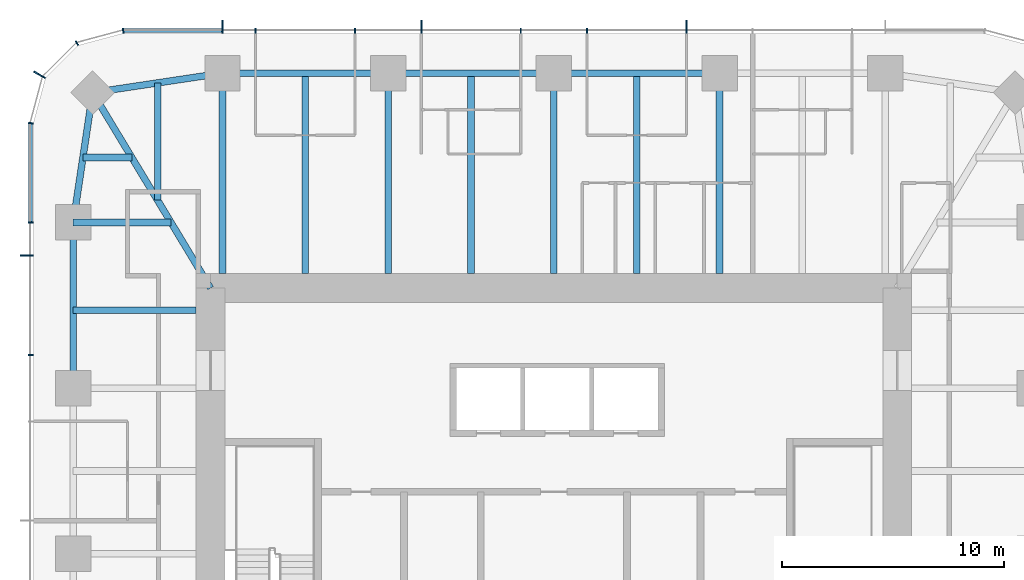
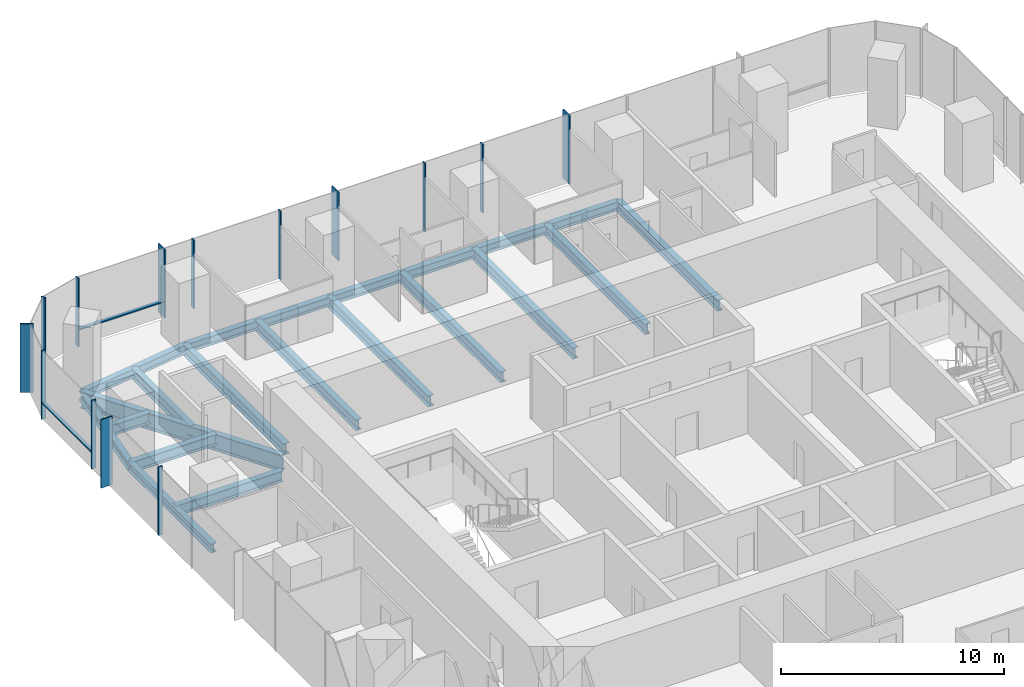
# One storey, part 5 of 12: 18 beams, 16 members, 3 elements without a shape of their own.
"""IFC4 building model written with IfcOpenShell, lengths in metres."""

from ifc_helpers import new_model, si_unit, direction, frame, origin, origin_2d, place, context, subcontext, project, spatial, rectangle, i_section, extrude, material, material_profile, profile_set, type_object, element, aggregate, save


model = new_model("IFC4")

# Units and contexts
model_context = context("Model", 3, precision=1e-05, world=origin(), true_north=direction((0.0, 1.0)))
body_context = subcontext(model_context, "Body", "Model", "MODEL_VIEW")
ifc_project = project(units=[si_unit("LENGTHUNIT", "METRE"), si_unit("AREAUNIT", "SQUARE_METRE"), si_unit("VOLUMEUNIT", "CUBIC_METRE"), si_unit("PLANEANGLEUNIT", "RADIAN"), si_unit("MASSUNIT", "GRAM", prefix="KILO")], contexts=[model_context])

# Site, building, storey
site_placement = place(None, origin())
site = spatial("IfcSite", under=ifc_project, at=site_placement, CompositionType="ELEMENT")
building_placement = place(site_placement, origin())
building = spatial("IfcBuilding", under=site, at=building_placement, Name="Khuree Lantern Residences", CompositionType="ELEMENT")
storey_placement = place(building_placement, frame((0.0, 0.0, 312.0)))
storey = spatial("IfcBuildingStorey", under=building, at=storey_placement, Name="L78", CompositionType="ELEMENT", Elevation=312.0)

# Beams
ifc_material_1 = material(Name="Steel S355", Category="steel")
ifc_material_profile_1 = material_profile(ifc_material_1, i_section(OverallWidth=0.300048828125, OverallDepth=0.590087890625, WebThickness=0.012939453125, FlangeThickness=0.02490234375, FilletRadius=0.027099609375, at=origin_2d()), Name="HE 600 A")
ifc_profile_set_1 = profile_set([ifc_material_profile_1], Name="Steel S355")
beam_type_1 = type_object("IfcBeamType", Name="B-42 SECONDARY BEAM HE 600 A", PredefinedType="BEAM", material=ifc_profile_set_1)
for number, where, z_axis, x_axis, name in (
    (1, (-11.219970703125, 21.699951171875, -0.544921875), (0.0, -1.0, 0.0), (1.0, 0.0, 0.0), "Secondary beam N1"),
    (2, (-3.739990234375, 21.699951171875, -0.544921875), (0.0, -1.0, 0.0), (1.0, 0.0, 0.0), "Secondary beam N2"),
    (3, (3.739990234375, 21.699951171875, -0.544921875), (0.0, -1.0, 0.0), (1.0, 0.0, 0.0), "Secondary beam N3"),
):
    element("IfcBeam", number, at=place(storey_placement, frame(where, z_axis=z_axis, x_axis=x_axis)), inside=storey, type_object=beam_type_1, Name=name, PredefinedType="BEAM", context=body_context, shape_type="SweptSolid", body=[
        extrude(i_section(OverallWidth=0.300048828125, OverallDepth=0.590087890625, WebThickness=0.012939453125, FlangeThickness=0.02490234375, FilletRadius=0.027099609375, at=origin_2d()), origin(), (0.0, 0.0, 1.0), 9.050048828125),
    ])
beam_1_placement = place(storey_placement, frame((-21.699951171875, 11.0, -0.544921875), z_axis=(1.0, 0.0, 0.0), x_axis=(0.0, 1.0, 0.0)))
element("IfcBeam", 4, at=beam_1_placement, inside=storey, type_object=beam_type_1, Name="Secondary beam W5", PredefinedType="BEAM", context=body_context, shape_type="SweptSolid", body=[
    extrude(i_section(OverallWidth=0.300048828125, OverallDepth=0.590087890625, WebThickness=0.012939453125, FlangeThickness=0.02490234375, FilletRadius=0.027099609375, at=origin_2d()), origin(), (0.0, 0.0, 1.0), 5.550048828125),
])
beam_2_placement = place(storey_placement, frame((-21.2607421875, 17.890625, -0.544921875), z_axis=(1.0, 0.0, 0.0), x_axis=(0.0, 1.0, 0.0)))
element("IfcBeam", 5, at=beam_2_placement, inside=storey, type_object=beam_type_1, Name="Secondary beam W6", PredefinedType="BEAM", context=body_context, shape_type="SweptSolid", body=[
    extrude(i_section(OverallWidth=0.300048828125, OverallDepth=0.590087890625, WebThickness=0.012939453125, FlangeThickness=0.02490234375, FilletRadius=0.027099609375, at=origin_2d()), origin(), (0.0, 0.0, 1.0), 2.207275390625),
])
beam_3_placement = place(storey_placement, frame((-17.890625, 21.2607421875, -0.544921875), z_axis=(0.0, -1.0, 0.0), x_axis=(1.0, 0.0, 0.0)))
element("IfcBeam", 6, at=beam_3_placement, inside=storey, type_object=beam_type_1, Name="Secondary beam N6", PredefinedType="BEAM", context=body_context, shape_type="SweptSolid", body=[
    extrude(i_section(OverallWidth=0.300048828125, OverallDepth=0.590087890625, WebThickness=0.012939453125, FlangeThickness=0.02490234375, FilletRadius=0.027099609375, at=origin_2d()), origin(), (0.0, 0.0, 1.0), 5.297607421875),
])
ifc_material_profile_2 = material_profile(ifc_material_1, i_section(OverallWidth=0.300048828125, OverallDepth=0.489990234375, WebThickness=0.011962890625, FlangeThickness=0.02294921875, FilletRadius=0.027099609375, at=origin_2d()), Name="HE 500 A")
ifc_profile_set_2 = profile_set([ifc_material_profile_2], Name="Steel S355")
beam_type_2 = type_object("IfcBeamType", Name="E-42 SPANDREL BEAM HE 500 A", PredefinedType="SPANDREL", material=ifc_profile_set_2)
for number, where, z_axis, x_axis, name in (
    (7, (-14.9599609375, 21.699951171875, -0.4951171875), (1.0, 0.0, 0.0), (0.0, 1.0, 0.0), "Spandrel beam N1"),
    (8, (-7.47998046875, 21.699951171875, -0.4951171875), (1.0, 0.0, 0.0), (0.0, 1.0, 0.0), "Spandrel beam N2"),
    (9, (0.0, 21.699951171875, -0.4951171875), (1.0, 0.0, 0.0), (0.0, 1.0, 0.0), "Spandrel beam N3"),
    (10, (-21.699951171875, 7.47998046875, -0.4951171875), (0.0, 1.0, 0.0), (-1.0, 0.0, 0.0), "Spandrel beam W5"),
):
    element("IfcBeam", number, at=place(storey_placement, frame(where, z_axis=z_axis, x_axis=x_axis)), inside=storey, type_object=beam_type_2, Name=name, PredefinedType="SPANDREL", context=body_context, shape_type="SweptSolid", body=[
        extrude(i_section(OverallWidth=0.300048828125, OverallDepth=0.489990234375, WebThickness=0.011962890625, FlangeThickness=0.02294921875, FilletRadius=0.027099609375, at=origin_2d()), origin(), (0.0, 0.0, 1.0), 7.47998046875),
    ])
for number, where, z_axis, x_axis, name in (
    (11, (-21.699951171875, 14.9599609375, -0.4951171875), (0.148251822985, 0.988949643299, 0.0), (-0.988949643299, 0.148251822985, 0.0), "Spandrel beam W6"),
    (12, (-20.8212890625, 20.8212890625, -0.4951171875), (0.988949643299, 0.148251822985, 0.0), (-0.148251822985, 0.988949643299, 0.0), "Spandrel beam N6"),
):
    element("IfcBeam", number, at=place(storey_placement, frame(where, z_axis=z_axis, x_axis=x_axis)), inside=storey, type_object=beam_type_2, Name=name, PredefinedType="SPANDREL", context=body_context, shape_type="SweptSolid", body=[
        extrude(i_section(OverallWidth=0.300048828125, OverallDepth=0.489990234375, WebThickness=0.011962890625, FlangeThickness=0.02294921875, FilletRadius=0.027099609375, at=origin_2d()), origin(), (0.0, 0.0, 1.0), 5.9267578125),
    ])

# Curtain wall, members
ifc_material_2 = material(Name="Bronze anodised aluminium", Category="aluminium")
curtain_wall_type_1 = type_object("IfcCurtainWallType", Name="CW-T1 TOWER FACE CURTAIN WALL", PredefinedType="USERDEFINED", material=ifc_material_2)
curtain_wall_1_placement = place(storey_placement, origin())
curtain_wall_1 = element("IfcCurtainWall", 13, at=curtain_wall_1_placement, inside=storey, type_object=curtain_wall_type_1, Name="L78 NORTH FACE CURTAIN WALL", ObjectType="Stick-built curtain wall", PredefinedType="USERDEFINED")
ifc_material_profile_3 = material_profile(ifc_material_2, rectangle(XDim=0.06494140625, YDim=0.60009765625, at=origin_2d()), Name="F1 65X600")
ifc_profile_set_3 = profile_set([ifc_material_profile_3], Name="Bronze anodised aluminium")
member_type_1 = type_object("IfcMemberType", Name="F1 BRONZE FIN MULLION TOWER 65X600", PredefinedType="MULLION", material=ifc_profile_set_3)
member_1_placement = place(storey_placement, frame((5.98388671875, 23.800048828125, 0.0), z_axis=(0.0, 0.0, 1.0), x_axis=(-1.0, 0.0, 0.0)))
member_1 = element("IfcMember", 14, at=member_1_placement, type_object=member_type_1, Name="L78 NORTH FACE FIN MULLION 22", PredefinedType="MULLION", context=body_context, shape_type="SweptSolid", body=[
    extrude(rectangle(XDim=0.06494140625, YDim=0.60009765625, at=origin_2d()), origin(), (0.0, 0.0, 1.0), 3.75),
])
member_2_placement = place(storey_placement, frame((-5.98388671875, 23.800048828125, 0.0), z_axis=(0.0, 0.0, 1.0), x_axis=(-1.0, 0.0, 0.0)))
member_2 = element("IfcMember", 15, at=member_2_placement, type_object=member_type_1, Name="L78 NORTH FACE FIN MULLION 25", PredefinedType="MULLION", context=body_context, shape_type="SweptSolid", body=[
    extrude(rectangle(XDim=0.06494140625, YDim=0.60009765625, at=origin_2d()), origin(), (0.0, 0.0, 1.0), 3.75),
])
member_3_placement = place(storey_placement, frame((-14.9599609375, 23.800048828125, 0.0), z_axis=(0.0, 0.0, 1.0), x_axis=(-1.0, 0.0, 0.0)))
member_3 = element("IfcMember", 16, at=member_3_placement, type_object=member_type_1, Name="L78 NORTH FACE FIN MULLION 28", PredefinedType="MULLION", context=body_context, shape_type="SweptSolid", body=[
    extrude(rectangle(XDim=0.06494140625, YDim=0.60009765625, at=origin_2d()), origin(), (0.0, 0.0, 1.0), 3.75),
])

# Curtain wall, member
curtain_wall_type_2 = type_object("IfcCurtainWallType", Name="CW-T2 TOWER CORNER CURTAIN WALL", PredefinedType="USERDEFINED", material=ifc_material_2)
curtain_wall_2_placement = place(storey_placement, origin())
curtain_wall_2 = element("IfcCurtainWall", 17, at=curtain_wall_2_placement, inside=storey, type_object=curtain_wall_type_2, Name="L78 NORTH-WEST CORNER CURTAIN WALL", ObjectType="Faceted corner curtain wall", PredefinedType="USERDEFINED")
member_4_placement = place(storey_placement, frame((-23.21728515625, 21.625, 0.0), z_axis=(0.0, 0.0, 1.0), x_axis=(-0.49999994149, -0.866025437565, 0.0)))
member_4 = element("IfcMember", 18, at=member_4_placement, type_object=member_type_1, Name="L78 NORTH-WEST CORNER FIN MULLION 31", PredefinedType="MULLION", context=body_context, shape_type="SweptSolid", body=[
    extrude(rectangle(XDim=0.06494140625, YDim=0.60009765625, at=origin_2d()), origin(), (0.0, 0.0, 1.0), 3.75),
])

curtain_wall_3_placement = place(storey_placement, origin())
curtain_wall_3 = element("IfcCurtainWall", 19, at=curtain_wall_3_placement, inside=storey, type_object=curtain_wall_type_1, Name="L78 WEST FACE CURTAIN WALL", ObjectType="Stick-built curtain wall", PredefinedType="USERDEFINED")
member_5_placement = place(storey_placement, frame((-23.800048828125, 13.464111328125, 0.0), z_axis=(0.0, 0.0, 1.0), x_axis=(0.0, -1.0, 0.0)))
member_5 = element("IfcMember", 20, at=member_5_placement, type_object=member_type_1, Name="L78 WEST FACE FIN MULLION 34", PredefinedType="MULLION", context=body_context, shape_type="SweptSolid", body=[
    extrude(rectangle(XDim=0.06494140625, YDim=0.60009765625, at=origin_2d()), origin(), (0.0, 0.0, 1.0), 3.75),
])

# Beams
ifc_material_profile_4 = material_profile(ifc_material_1, i_section(OverallWidth=0.300048828125, OverallDepth=0.60009765625, WebThickness=0.015380859375, FlangeThickness=0.030029296875, FilletRadius=0.027099609375, at=origin_2d()), Name="HE 600 B")
ifc_profile_set_4 = profile_set([ifc_material_profile_4], Name="Steel S355")
beam_type_3 = type_object("IfcBeamType", Name="G-42 GIRDER HE 600 B", PredefinedType="BEAM", material=ifc_profile_set_4)
for number, where, z_axis, x_axis, name in (
    (21, (-14.9599609375, 21.699951171875, -0.550048828125), (0.0, -1.0, 0.0), (1.0, 0.0, 0.0), "Girder N1"),
    (22, (-7.47998046875, 21.699951171875, -0.550048828125), (0.0, -1.0, 0.0), (1.0, 0.0, 0.0), "Girder N2"),
    (23, (0.0, 21.699951171875, -0.550048828125), (0.0, -1.0, 0.0), (1.0, 0.0, 0.0), "Girder N3"),
    (24, (7.47998046875, 21.699951171875, -0.550048828125), (0.0, -1.0, 0.0), (1.0, 0.0, 0.0), "Girder N4"),
):
    element("IfcBeam", number, at=place(storey_placement, frame(where, z_axis=z_axis, x_axis=x_axis)), inside=storey, type_object=beam_type_3, Name=name, PredefinedType="BEAM", context=body_context, shape_type="SweptSolid", body=[
        extrude(i_section(OverallWidth=0.300048828125, OverallDepth=0.60009765625, WebThickness=0.015380859375, FlangeThickness=0.030029296875, FilletRadius=0.027099609375, at=origin_2d()), origin(), (0.0, 0.0, 1.0), 9.050048828125),
    ])
beam_4_placement = place(storey_placement, frame((-21.699951171875, 14.9599609375, -0.550048828125), z_axis=(1.0, 0.0, 0.0), x_axis=(0.0, 1.0, 0.0)))
element("IfcBeam", 25, at=beam_4_placement, inside=storey, type_object=beam_type_3, Name="Girder W5", PredefinedType="BEAM", context=body_context, shape_type="SweptSolid", body=[
    extrude(i_section(OverallWidth=0.300048828125, OverallDepth=0.60009765625, WebThickness=0.015380859375, FlangeThickness=0.030029296875, FilletRadius=0.027099609375, at=origin_2d()), origin(), (0.0, 0.0, 1.0), 4.414306640625),
])
ifc_material_profile_5 = material_profile(ifc_material_1, i_section(OverallWidth=0.300048828125, OverallDepth=0.89990234375, WebThickness=0.0185546875, FlangeThickness=0.034912109375, FilletRadius=0.030029296875, at=origin_2d()), Name="HE 900 B")
ifc_profile_set_5 = profile_set([ifc_material_profile_5], Name="Steel S355")
beam_type_4 = type_object("IfcBeamType", Name="GD-42 CORNER GIRDER HE 900 B", PredefinedType="BEAM", material=ifc_profile_set_5)
beam_5_placement = place(storey_placement, frame((-20.8212890625, 20.8212890625, -0.699951171875), z_axis=(0.516529577604, -0.856269347495, 0.0), x_axis=(0.856269347495, 0.516529577604, 0.0)))
element("IfcBeam", 26, at=beam_5_placement, inside=storey, type_object=beam_type_4, Name="Corner girder NW", PredefinedType="BEAM", context=body_context, shape_type="SweptSolid", body=[
    extrude(i_section(OverallWidth=0.300048828125, OverallDepth=0.89990234375, WebThickness=0.0185546875, FlangeThickness=0.034912109375, FilletRadius=0.030029296875, at=origin_2d()), origin(), (0.0, 0.0, 1.0), 10.302001953125),
])

# Member
ifc_material_profile_6 = material_profile(ifc_material_2, rectangle(XDim=0.06494140625, YDim=0.219970703125, at=origin_2d()), Name="M1 65X220")
ifc_profile_set_6 = profile_set([ifc_material_profile_6], Name="Bronze anodised aluminium")
member_type_2 = type_object("IfcMemberType", Name="M1 BRONZE MULLION TOWER 65X220", PredefinedType="MULLION", material=ifc_profile_set_6)
member_6_placement = place(storey_placement, frame((1.49609375, 23.610107421875, 0.0), z_axis=(0.0, 0.0, 1.0), x_axis=(-1.0, 0.0, 0.0)))
member_6 = element("IfcMember", 27, at=member_6_placement, type_object=member_type_2, Name="L78 NORTH FACE MULLION 23", PredefinedType="MULLION", context=body_context, shape_type="SweptSolid", body=[
    extrude(rectangle(XDim=0.06494140625, YDim=0.219970703125, at=origin_2d()), origin(), (0.0, 0.0, 1.0), 3.75),
])

member_7_placement = place(storey_placement, frame((-1.49609375, 23.610107421875, 0.0), z_axis=(0.0, 0.0, 1.0), x_axis=(-1.0, 0.0, 0.0)))
member_7 = element("IfcMember", 28, at=member_7_placement, type_object=member_type_2, Name="L78 NORTH FACE MULLION 24", PredefinedType="MULLION", context=body_context, shape_type="SweptSolid", body=[
    extrude(rectangle(XDim=0.06494140625, YDim=0.219970703125, at=origin_2d()), origin(), (0.0, 0.0, 1.0), 3.75),
])

member_8_placement = place(storey_placement, frame((-8.97607421875, 23.610107421875, 0.0), z_axis=(0.0, 0.0, 1.0), x_axis=(-1.0, 0.0, 0.0)))
member_8 = element("IfcMember", 29, at=member_8_placement, type_object=member_type_2, Name="L78 NORTH FACE MULLION 26", PredefinedType="MULLION", context=body_context, shape_type="SweptSolid", body=[
    extrude(rectangle(XDim=0.06494140625, YDim=0.219970703125, at=origin_2d()), origin(), (0.0, 0.0, 1.0), 3.75),
])

member_9_placement = place(storey_placement, frame((-13.464111328125, 23.610107421875, 0.0), z_axis=(0.0, 0.0, 1.0), x_axis=(-1.0, 0.0, 0.0)))
member_9 = element("IfcMember", 30, at=member_9_placement, type_object=member_type_2, Name="L78 NORTH FACE MULLION 27", PredefinedType="MULLION", context=body_context, shape_type="SweptSolid", body=[
    extrude(rectangle(XDim=0.06494140625, YDim=0.219970703125, at=origin_2d()), origin(), (0.0, 0.0, 1.0), 3.75),
])

member_10_placement = place(storey_placement, frame((-19.445068359375, 23.61181640625, 0.0), z_axis=(0.0, 0.0, 1.0), x_axis=(-0.991444870192, -0.130526125236, 0.0)))
member_10 = element("IfcMember", 31, at=member_10_placement, type_object=member_type_2, Name="L78 NORTH-WEST CORNER MULLION 29", PredefinedType="MULLION", context=body_context, shape_type="SweptSolid", body=[
    extrude(rectangle(XDim=0.06494140625, YDim=0.219970703125, at=origin_2d()), origin(), (0.0, 0.0, 1.0), 3.75),
])

member_11_placement = place(storey_placement, frame((-21.530029296875, 23.052734375, 0.0), z_axis=(0.0, 0.0, 1.0), x_axis=(-0.866025437565, -0.49999994149, 0.0)))
member_11 = element("IfcMember", 32, at=member_11_placement, type_object=member_type_2, Name="L78 NORTH-WEST CORNER MULLION 30", PredefinedType="MULLION", context=body_context, shape_type="SweptSolid", body=[
    extrude(rectangle(XDim=0.06494140625, YDim=0.219970703125, at=origin_2d()), origin(), (0.0, 0.0, 1.0), 3.75),
])

aggregate(curtain_wall_2, [member_10, member_11, member_4])

member_12_placement = place(storey_placement, frame((-23.61181640625, 19.445068359375, 0.0), z_axis=(0.0, 0.0, 1.0), x_axis=(-0.130526125236, -0.991444870192, 0.0)))
member_12 = element("IfcMember", 33, at=member_12_placement, type_object=member_type_2, Name="L78 WEST FACE MULLION 32", PredefinedType="MULLION", context=body_context, shape_type="SweptSolid", body=[
    extrude(rectangle(XDim=0.06494140625, YDim=0.219970703125, at=origin_2d()), origin(), (0.0, 0.0, 1.0), 3.75),
])

member_13_placement = place(storey_placement, frame((-23.610107421875, 14.9599609375, 0.0), z_axis=(0.0, 0.0, 1.0), x_axis=(0.0, -1.0, 0.0)))
member_13 = element("IfcMember", 34, at=member_13_placement, type_object=member_type_2, Name="L78 WEST FACE MULLION 33", PredefinedType="MULLION", context=body_context, shape_type="SweptSolid", body=[
    extrude(rectangle(XDim=0.06494140625, YDim=0.219970703125, at=origin_2d()), origin(), (0.0, 0.0, 1.0), 3.75),
])

member_14_placement = place(storey_placement, frame((-23.610107421875, 8.97607421875, 0.0), z_axis=(0.0, 0.0, 1.0), x_axis=(0.0, -1.0, 0.0)))
member_14 = element("IfcMember", 35, at=member_14_placement, type_object=member_type_2, Name="L78 WEST FACE MULLION 35", PredefinedType="MULLION", context=body_context, shape_type="SweptSolid", body=[
    extrude(rectangle(XDim=0.06494140625, YDim=0.219970703125, at=origin_2d()), origin(), (0.0, 0.0, 1.0), 3.75),
])

ifc_material_profile_7 = material_profile(ifc_material_2, rectangle(XDim=0.179931640625, YDim=0.06494140625, at=origin_2d()), Name="T1 180X65")
ifc_profile_set_7 = profile_set([ifc_material_profile_7], Name="Bronze anodised aluminium")
member_type_3 = type_object("IfcMemberType", Name="TRANSOM T1 TOWER 180X65", PredefinedType="USERDEFINED", material=ifc_profile_set_7)
member_15_placement = place(storey_placement, frame((-14.992431640625, 23.6201171875, 0.89990234375), z_axis=(-1.0, 0.0, 0.0), x_axis=(0.0, -1.0, 0.0)))
member_15 = element("IfcMember", 36, at=member_15_placement, type_object=member_type_3, Name="L78 NORTH FACE TRANSOM 28.1", ObjectType="Transom", PredefinedType="USERDEFINED", context=body_context, shape_type="SweptSolid", body=[
    extrude(rectangle(XDim=0.179931640625, YDim=0.06494140625, at=origin_2d()), origin(), (0.0, 0.0, 1.0), 4.408935546875),
])

aggregate(curtain_wall_1, [member_1, member_6, member_7, member_2, member_8, member_9, member_3, member_15])

member_16_placement = place(storey_placement, frame((-23.6201171875, 19.4013671875, 0.89990234375), z_axis=(0.0, -1.0, 0.0), x_axis=(1.0, 0.0, 0.0)))
member_16 = element("IfcMember", 37, at=member_16_placement, type_object=member_type_3, Name="L78 WEST FACE TRANSOM 32.1", ObjectType="Transom", PredefinedType="USERDEFINED", context=body_context, shape_type="SweptSolid", body=[
    extrude(rectangle(XDim=0.179931640625, YDim=0.06494140625, at=origin_2d()), origin(), (0.0, 0.0, 1.0), 4.408935546875),
])

aggregate(curtain_wall_3, [member_12, member_13, member_5, member_14, member_16])

save(model, "model.ifc")
